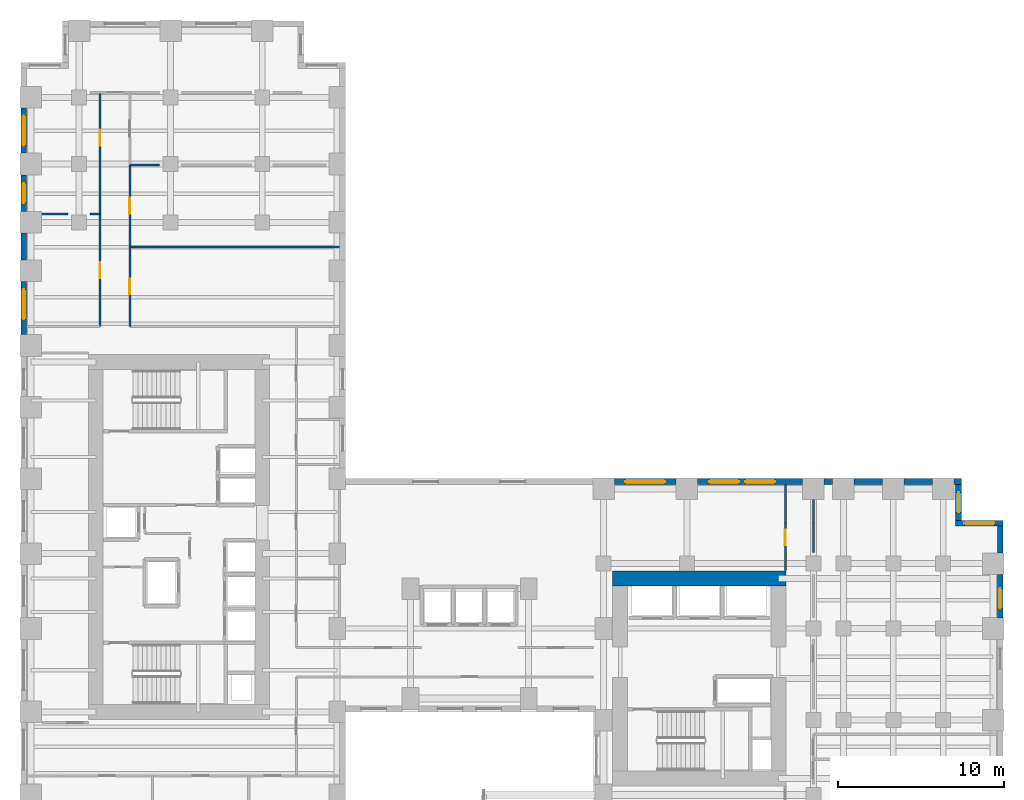
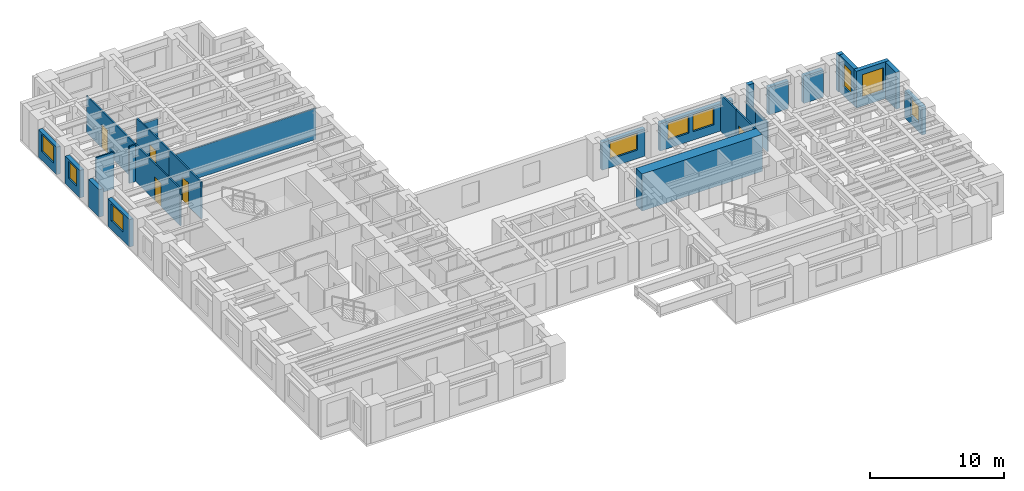
# One storey, part 11 of 14: 27 walls, 9 windows, 5 doors, 14 openings.
"""IFC4 building model written with IfcOpenShell, lengths in metres."""

from ifc_helpers import new_model, si_unit, direction, frame, frame_2d, origin, place, context, subcontext, project, spatial, rectangle, extrude, source, transform, mapped, material, layer, layer_set, type_object, element, fill, save


model = new_model("IFC4")

# Units and contexts
model_context = context("Model", 3, precision=1e-05, world=origin(), true_north=direction((0.0, 1.0)))
body_context = subcontext(model_context, "Body", "Model", "MODEL_VIEW")
ifc_project = project(units=[si_unit("LENGTHUNIT", "METRE"), si_unit("AREAUNIT", "SQUARE_METRE"), si_unit("VOLUMEUNIT", "CUBIC_METRE"), si_unit("PLANEANGLEUNIT", "RADIAN"), si_unit("MASSUNIT", "GRAM", prefix="KILO")], contexts=[model_context])

# Site, building, storey
site_placement = place(None, origin())
site = spatial("IfcSite", under=ifc_project, at=site_placement, CompositionType="ELEMENT")
building_placement = place(site_placement, origin())
building = spatial("IfcBuilding", under=site, at=building_placement, Name="Kharzan Plaza Tower", CompositionType="ELEMENT")
storey_placement = place(building_placement, frame((0.0, 0.0, 44.10009765625)))
storey = spatial("IfcBuildingStorey", under=building, at=storey_placement, Name="L11", CompositionType="ELEMENT", Elevation=44.10009765625)

# Wall, opening, window
ifc_material_1 = material(Name="Concrete C40/50", Category="concrete")
ifc_layer_1 = layer(ifc_material_1, 0.35009765625)
ifc_layer_set_1 = layer_set([ifc_layer_1], Name="Concrete C40/50")
wall_type_1 = type_object("IfcWallType", Name="WL-EXT-MAS-Z1", PredefinedType="SOLIDWALL", material=ifc_layer_set_1)
wall_1_placement = place(storey_placement, frame((0.175048828125, 44.751953125, 0.0), z_axis=(0.0, 0.0, 1.0), x_axis=(0.0, -1.0, 0.0)))
wall_1 = element("IfcWall", 1, at=wall_1_placement, inside=storey, type_object=wall_type_1, Name="L11 Masonry-Frame Exterior Wall 10", PredefinedType="SOLIDWALL", context=body_context, shape_type="SweptSolid", body=[
    extrude(rectangle(XDim=2.703857421875, YDim=0.35009765625, at=frame_2d((1.35205078125, 0.0))), origin(), (0.0, 0.0, 1.0), 2.510009765625),
])
opening_1_placement = place(wall_1_placement, frame((0.451904296875, 0.0, 0.780029296875)))
opening_1 = element("IfcOpeningElement", 2, at=opening_1_placement, cuts=wall_1, Name="Opening W1", PredefinedType="OPENING", context=body_context, shape_type="SweptSolid", body=[
    extrude(rectangle(XDim=1.800048828125, YDim=1.550048828125, at=frame_2d((0.89990234375, 0.77490234375))), frame((0.0, 0.18505859375, 0.0), z_axis=(0.0, -1.0, 0.0), x_axis=(1.0, 0.0, 0.0)), (0.0, 0.0, 1.0), 0.3701171875),
])
ifc_material_2 = material(Name="Low-E Double Glazing", Category="glass")
window_type_1 = type_object("IfcWindowType", Name="WN-REC-1800x2100", PartitioningType="SINGLE_PANEL", PredefinedType="WINDOW", material=ifc_material_2)
shared_shape_1 = source(origin(), body_context, "Body", "SweptSolid", [
    extrude(rectangle(XDim=1.800048828125, YDim=1.550048828125, at=frame_2d((0.89990234375, 0.77490234375))), frame((0.0, 0.030029296875, 0.0), z_axis=(0.0, -1.0, 0.0), x_axis=(1.0, 0.0, 0.0)), (0.0, 0.0, 1.0), 0.06005859375),
])
window_1_placement = place(opening_1_placement, origin())
window_1 = element("IfcWindow", 3, at=window_1_placement, inside=storey, type_object=window_type_1, Name="L11 Recessed Solar-Control Window 10-1", OverallHeight=1.550048828125, OverallWidth=1.800048828125, PartitioningType="SINGLE_PANEL", PredefinedType="WINDOW", context=body_context, shape_type="MappedRepresentation", body=[
    mapped(shared_shape_1, transform((0.0, 0.0, 0.0), x_axis=(1.0, 0.0, 0.0), y_axis=(0.0, 1.0, 0.0), z_axis=(0.0, 0.0, 1.0))),
])
fill(opening_1, window_1)

wall_2_placement = place(storey_placement, frame((0.175048828125, 40.751953125, 0.0), z_axis=(0.0, 0.0, 1.0), x_axis=(0.0, -1.0, 0.0)))
wall_2 = element("IfcWall", 4, at=wall_2_placement, inside=storey, type_object=wall_type_1, Name="L11 Masonry-Frame Exterior Wall 11", PredefinedType="SOLIDWALL", context=body_context, shape_type="SweptSolid", body=[
    extrude(rectangle(XDim=2.203857421875, YDim=0.35009765625, at=frame_2d((1.10205078125, 0.0))), origin(), (0.0, 0.0, 1.0), 2.510009765625),
])
opening_2_placement = place(wall_2_placement, frame((0.501953125, 0.0, 0.780029296875)))
opening_2 = element("IfcOpeningElement", 5, at=opening_2_placement, cuts=wall_2, Name="Opening W3", PredefinedType="OPENING", context=body_context, shape_type="SweptSolid", body=[
    extrude(rectangle(XDim=1.199951171875, YDim=1.550048828125, at=frame_2d((0.60009765625, 0.77490234375))), frame((0.0, 0.18505859375, 0.0), z_axis=(0.0, -1.0, 0.0), x_axis=(1.0, 0.0, 0.0)), (0.0, 0.0, 1.0), 0.3701171875),
])
window_type_2 = type_object("IfcWindowType", Name="WN-REC-1200x2100", PartitioningType="SINGLE_PANEL", PredefinedType="WINDOW", material=ifc_material_2)
shared_shape_2 = source(origin(), body_context, "Body", "SweptSolid", [
    extrude(rectangle(XDim=1.199951171875, YDim=1.550048828125, at=frame_2d((0.60009765625, 0.77490234375))), frame((0.0, 0.030029296875, 0.0), z_axis=(0.0, -1.0, 0.0), x_axis=(1.0, 0.0, 0.0)), (0.0, 0.0, 1.0), 0.06005859375),
])
window_2_placement = place(opening_2_placement, origin())
window_2 = element("IfcWindow", 6, at=window_2_placement, inside=storey, type_object=window_type_2, Name="L11 Recessed Solar-Control Window 11-1", OverallHeight=1.550048828125, OverallWidth=1.199951171875, PartitioningType="SINGLE_PANEL", PredefinedType="WINDOW", context=body_context, shape_type="MappedRepresentation", body=[
    mapped(shared_shape_2, transform((0.0, 0.0, 0.0), x_axis=(1.0, 0.0, 0.0), y_axis=(0.0, 1.0, 0.0), z_axis=(0.0, 0.0, 1.0))),
])
fill(opening_2, window_2)

wall_3_placement = place(storey_placement, frame((0.175048828125, 34.35205078125, 0.0), z_axis=(0.0, 0.0, 1.0), x_axis=(0.0, -1.0, 0.0)))
wall_3 = element("IfcWall", 7, at=wall_3_placement, inside=storey, type_object=wall_type_1, Name="L11 Masonry-Frame Exterior Wall 13", PredefinedType="SOLIDWALL", context=body_context, shape_type="SweptSolid", body=[
    extrude(rectangle(XDim=3.2041015625, YDim=0.35009765625, at=frame_2d((1.60205078125, 0.0))), origin(), (0.0, 0.0, 1.0), 2.510009765625),
])
opening_3_placement = place(wall_3_placement, frame((0.486083984375, 0.0, 0.780029296875)))
opening_3 = element("IfcOpeningElement", 8, at=opening_3_placement, cuts=wall_3, Name="Opening W1", PredefinedType="OPENING", context=body_context, shape_type="SweptSolid", body=[
    extrude(rectangle(XDim=1.800048828125, YDim=1.550048828125, at=frame_2d((0.89990234375, 0.77490234375))), frame((0.0, 0.18505859375, 0.0), z_axis=(0.0, -1.0, 0.0), x_axis=(1.0, 0.0, 0.0)), (0.0, 0.0, 1.0), 0.3701171875),
])
window_3_placement = place(opening_3_placement, origin())
window_3 = element("IfcWindow", 9, at=window_3_placement, inside=storey, type_object=window_type_1, Name="L11 Recessed Solar-Control Window 13-1", OverallHeight=1.550048828125, OverallWidth=1.800048828125, PartitioningType="SINGLE_PANEL", PredefinedType="WINDOW", context=body_context, shape_type="MappedRepresentation", body=[
    mapped(shared_shape_1, transform((0.0, 0.0, 0.0), x_axis=(1.0, 0.0, 0.0), y_axis=(0.0, 1.0, 0.0), z_axis=(0.0, 0.0, 1.0))),
])
fill(opening_3, window_3)

wall_4_placement = place(storey_placement, frame((58.824951171875, 14.14794921875, 0.0), z_axis=(0.0, 0.0, 1.0), x_axis=(0.0, 1.0, 0.0)))
wall_4 = element("IfcWall", 10, at=wall_4_placement, inside=storey, type_object=wall_type_1, Name="L11 Masonry-Frame Exterior Wall 44", PredefinedType="SOLIDWALL", context=body_context, shape_type="SweptSolid", body=[
    extrude(rectangle(XDim=2.60400390625, YDim=0.35009765625, at=frame_2d((1.302001953125, 0.0))), origin(), (0.0, 0.0, 1.0), 2.510009765625),
])
opening_4_placement = place(wall_4_placement, frame((0.5673828125, 0.0, 0.780029296875)))
opening_4 = element("IfcOpeningElement", 11, at=opening_4_placement, cuts=wall_4, Name="Opening W3", PredefinedType="OPENING", context=body_context, shape_type="SweptSolid", body=[
    extrude(rectangle(XDim=1.199951171875, YDim=1.550048828125, at=frame_2d((0.60009765625, 0.77490234375))), frame((0.0, 0.18505859375, 0.0), z_axis=(0.0, -1.0, 0.0), x_axis=(1.0, 0.0, 0.0)), (0.0, 0.0, 1.0), 0.3701171875),
])
window_4_placement = place(opening_4_placement, origin())
window_4 = element("IfcWindow", 12, at=window_4_placement, inside=storey, type_object=window_type_2, Name="L11 Recessed Solar-Control Window 44-1", OverallHeight=1.550048828125, OverallWidth=1.199951171875, PartitioningType="SINGLE_PANEL", PredefinedType="WINDOW", context=body_context, shape_type="MappedRepresentation", body=[
    mapped(shared_shape_2, transform((0.0, 0.0, 0.0), x_axis=(1.0, 0.0, 0.0), y_axis=(0.0, 1.0, 0.0), z_axis=(0.0, 0.0, 1.0))),
])
fill(opening_4, window_4)

wall_5_placement = place(storey_placement, frame((59.0, 19.824951171875, 0.0), z_axis=(0.0, 0.0, 1.0), x_axis=(-1.0, 0.0, 0.0)))
wall_5 = element("IfcWall", 13, at=wall_5_placement, inside=storey, type_object=wall_type_1, Name="L11 Masonry-Frame Exterior Wall 46", PredefinedType="SOLIDWALL", context=body_context, shape_type="SweptSolid", body=[
    extrude(rectangle(XDim=2.85009765625, YDim=0.35009765625, at=frame_2d((1.425048828125, 0.0))), origin(), (0.0, 0.0, 1.0), 3.364990234375),
])
opening_5_placement = place(wall_5_placement, frame((0.52490234375, 0.0, 0.780029296875)))
opening_5 = element("IfcOpeningElement", 14, at=opening_5_placement, cuts=wall_5, Name="Opening W1", PredefinedType="OPENING", context=body_context, shape_type="SweptSolid", body=[
    extrude(rectangle(XDim=1.800048828125, YDim=2.10009765625, at=frame_2d((0.89990234375, 1.050048828125))), frame((0.0, 0.18505859375, 0.0), z_axis=(0.0, -1.0, 0.0), x_axis=(1.0, 0.0, 0.0)), (0.0, 0.0, 1.0), 0.3701171875),
])
shared_shape_3 = source(origin(), body_context, "Body", "SweptSolid", [
    extrude(rectangle(XDim=1.800048828125, YDim=2.10009765625, at=frame_2d((0.89990234375, 1.050048828125))), frame((0.0, 0.030029296875, 0.0), z_axis=(0.0, -1.0, 0.0), x_axis=(1.0, 0.0, 0.0)), (0.0, 0.0, 1.0), 0.06005859375),
])
window_5_placement = place(opening_5_placement, origin())
window_5 = element("IfcWindow", 15, at=window_5_placement, inside=storey, type_object=window_type_1, Name="L11 Recessed Solar-Control Window 46-1", OverallHeight=2.10009765625, OverallWidth=1.800048828125, PartitioningType="SINGLE_PANEL", PredefinedType="WINDOW", context=body_context, shape_type="MappedRepresentation", body=[
    mapped(shared_shape_3, transform((0.0, 0.0, 0.0), x_axis=(1.0, 0.0, 0.0), y_axis=(0.0, 1.0, 0.0), z_axis=(0.0, 0.0, 1.0))),
])
fill(opening_5, window_5)

wall_6_placement = place(storey_placement, frame((56.324951171875, 19.998046875, 0.0), z_axis=(0.0, 0.0, 1.0), x_axis=(0.0, 1.0, 0.0)))
wall_6 = element("IfcWall", 16, at=wall_6_placement, inside=storey, type_object=wall_type_1, Name="L11 Masonry-Frame Exterior Wall 47", PredefinedType="SOLIDWALL", context=body_context, shape_type="SweptSolid", body=[
    extrude(rectangle(XDim=2.154052734375, YDim=0.35009765625, at=frame_2d((1.0771484375, 0.0))), origin(), (0.0, 0.0, 1.0), 3.364990234375),
])
opening_6_placement = place(wall_6_placement, frame((0.47705078125, 0.0, 0.780029296875)))
opening_6 = element("IfcOpeningElement", 17, at=opening_6_placement, cuts=wall_6, Name="Opening W3", PredefinedType="OPENING", context=body_context, shape_type="SweptSolid", body=[
    extrude(rectangle(XDim=1.199951171875, YDim=2.10009765625, at=frame_2d((0.60009765625, 1.050048828125))), frame((0.0, 0.18505859375, 0.0), z_axis=(0.0, -1.0, 0.0), x_axis=(1.0, 0.0, 0.0)), (0.0, 0.0, 1.0), 0.3701171875),
])
shared_shape_4 = source(origin(), body_context, "Body", "SweptSolid", [
    extrude(rectangle(XDim=1.199951171875, YDim=2.10009765625, at=frame_2d((0.60009765625, 1.050048828125))), frame((0.0, 0.030029296875, 0.0), z_axis=(0.0, -1.0, 0.0), x_axis=(1.0, 0.0, 0.0)), (0.0, 0.0, 1.0), 0.06005859375),
])
window_6_placement = place(opening_6_placement, origin())
window_6 = element("IfcWindow", 18, at=window_6_placement, inside=storey, type_object=window_type_2, Name="L11 Recessed Solar-Control Window 47-1", OverallHeight=2.10009765625, OverallWidth=1.199951171875, PartitioningType="SINGLE_PANEL", PredefinedType="WINDOW", context=body_context, shape_type="MappedRepresentation", body=[
    mapped(shared_shape_4, transform((0.0, 0.0, 0.0), x_axis=(1.0, 0.0, 0.0), y_axis=(0.0, 1.0, 0.0), z_axis=(0.0, 0.0, 1.0))),
])
fill(opening_6, window_6)

# Wall, openings, windows
wall_7_placement = place(storey_placement, frame((46.951904296875, 22.324951171875, 0.0), z_axis=(0.0, 0.0, 1.0), x_axis=(-1.0, 0.0, 0.0)))
wall_7 = element("IfcWall", 19, at=wall_7_placement, inside=storey, type_object=wall_type_1, Name="L11 Masonry-Frame Exterior Wall 52", PredefinedType="SOLIDWALL", context=body_context, shape_type="SweptSolid", body=[
    extrude(rectangle(XDim=6.303955078125, YDim=0.35009765625, at=frame_2d((3.15185546875, 0.0))), origin(), (0.0, 0.0, 1.0), 2.510009765625),
])
opening_7_placement = place(wall_7_placement, frame((1.6494140625, 0.0, 0.780029296875)))
opening_7 = element("IfcOpeningElement", 20, at=opening_7_placement, cuts=wall_7, Name="Opening W1", PredefinedType="OPENING", context=body_context, shape_type="SweptSolid", body=[
    extrude(rectangle(XDim=1.800048828125, YDim=1.550048828125, at=frame_2d((0.89990234375, 0.77490234375))), frame((0.0, 0.18505859375, 0.0), z_axis=(0.0, -1.0, 0.0), x_axis=(1.0, 0.0, 0.0)), (0.0, 0.0, 1.0), 0.3701171875),
])
opening_8_placement = place(wall_7_placement, frame((3.816650390625, 0.0, 0.780029296875)))
opening_8 = element("IfcOpeningElement", 21, at=opening_8_placement, cuts=wall_7, Name="Opening W1", PredefinedType="OPENING", context=body_context, shape_type="SweptSolid", body=[
    extrude(rectangle(XDim=1.800048828125, YDim=1.550048828125, at=frame_2d((0.89990234375, 0.77490234375))), frame((0.0, 0.18505859375, 0.0), z_axis=(0.0, -1.0, 0.0), x_axis=(1.0, 0.0, 0.0)), (0.0, 0.0, 1.0), 0.3701171875),
])
window_7_placement = place(opening_7_placement, origin())
window_7 = element("IfcWindow", 22, at=window_7_placement, inside=storey, type_object=window_type_1, Name="L11 Recessed Solar-Control Window 52-1", OverallHeight=1.550048828125, OverallWidth=1.800048828125, PartitioningType="SINGLE_PANEL", PredefinedType="WINDOW", context=body_context, shape_type="MappedRepresentation", body=[
    mapped(shared_shape_1, transform((0.0, 0.0, 0.0), x_axis=(1.0, 0.0, 0.0), y_axis=(0.0, 1.0, 0.0), z_axis=(0.0, 0.0, 1.0))),
])
fill(opening_7, window_7)
window_8_placement = place(opening_8_placement, origin())
window_8 = element("IfcWindow", 23, at=window_8_placement, inside=storey, type_object=window_type_1, Name="L11 Recessed Solar-Control Window 52-2", OverallHeight=1.550048828125, OverallWidth=1.800048828125, PartitioningType="SINGLE_PANEL", PredefinedType="WINDOW", context=body_context, shape_type="MappedRepresentation", body=[
    mapped(shared_shape_1, transform((0.0, 0.0, 0.0), x_axis=(1.0, 0.0, 0.0), y_axis=(0.0, 1.0, 0.0), z_axis=(0.0, 0.0, 1.0))),
])
fill(opening_8, window_8)

# Wall, opening, window
wall_8_placement = place(storey_placement, frame((39.35205078125, 22.324951171875, 0.0), z_axis=(0.0, 0.0, 1.0), x_axis=(-1.0, 0.0, 0.0)))
wall_8 = element("IfcWall", 24, at=wall_8_placement, inside=storey, type_object=wall_type_1, Name="L11 Masonry-Frame Exterior Wall 53", PredefinedType="SOLIDWALL", context=body_context, shape_type="SweptSolid", body=[
    extrude(rectangle(XDim=3.7041015625, YDim=0.35009765625, at=frame_2d((1.85205078125, 0.0))), origin(), (0.0, 0.0, 1.0), 2.510009765625),
])
opening_9_placement = place(wall_8_placement, frame((0.652099609375, 0.0, 0.780029296875)))
opening_9 = element("IfcOpeningElement", 25, at=opening_9_placement, cuts=wall_8, Name="Opening W2", PredefinedType="OPENING", context=body_context, shape_type="SweptSolid", body=[
    extrude(rectangle(XDim=2.39990234375, YDim=1.550048828125, at=frame_2d((1.199951171875, 0.77490234375))), frame((0.0, 0.18505859375, 0.0), z_axis=(0.0, -1.0, 0.0), x_axis=(1.0, 0.0, 0.0)), (0.0, 0.0, 1.0), 0.3701171875),
])
window_type_3 = type_object("IfcWindowType", Name="WN-REC-2400x2100", PartitioningType="SINGLE_PANEL", PredefinedType="WINDOW", material=ifc_material_2)
shared_shape_5 = source(origin(), body_context, "Body", "SweptSolid", [
    extrude(rectangle(XDim=2.39990234375, YDim=1.550048828125, at=frame_2d((1.199951171875, 0.77490234375))), frame((0.0, 0.030029296875, 0.0), z_axis=(0.0, -1.0, 0.0), x_axis=(1.0, 0.0, 0.0)), (0.0, 0.0, 1.0), 0.06005859375),
])
window_9_placement = place(opening_9_placement, origin())
window_9 = element("IfcWindow", 26, at=window_9_placement, inside=storey, type_object=window_type_3, Name="L11 Wide Recessed Solar-Control Window 53-1", OverallHeight=1.550048828125, OverallWidth=2.39990234375, PartitioningType="SINGLE_PANEL", PredefinedType="WINDOW", context=body_context, shape_type="MappedRepresentation", body=[
    mapped(shared_shape_5, transform((0.0, 0.0, 0.0), x_axis=(1.0, 0.0, 0.0), y_axis=(0.0, 1.0, 0.0), z_axis=(0.0, 0.0, 1.0))),
])
fill(opening_9, window_9)

# Wall, opening, door
ifc_material_3 = material(Name="Fire-Rated Gypsum Board Partition", Category="gypsum")
ifc_layer_2 = layer(ifc_material_3, 0.125)
ifc_layer_set_2 = layer_set([ifc_layer_2], Name="Fire-Rated Gypsum Board Partition")
wall_type_2 = type_object("IfcWallType", Name="WL-INT-PART-125", PredefinedType="PARTITIONING", material=ifc_layer_set_2)
wall_9_placement = place(storey_placement, frame((45.919921875, 16.97998046875, 0.0), z_axis=(0.0, 0.0, 1.0), x_axis=(0.0, 1.0, 0.0)))
wall_9 = element("IfcWall", 27, at=wall_9_placement, inside=storey, type_object=wall_type_2, Name="L11 Interior Partition SH-RBNE", PredefinedType="PARTITIONING", context=body_context, shape_type="SweptSolid", body=[
    extrude(rectangle(XDim=2.8701171875, YDim=0.125, at=frame_2d((1.43505859375, 0.0))), origin(), (0.0, 0.0, 1.0), 3.364990234375),
])
opening_10_placement = place(wall_9_placement, frame((1.51708984375, 0.0, 0.0)))
opening_10 = element("IfcOpeningElement", 28, at=opening_10_placement, cuts=wall_9, Name="Opening OD1", PredefinedType="OPENING", context=body_context, shape_type="SweptSolid", body=[
    extrude(rectangle(XDim=0.949951171875, YDim=2.14990234375, at=frame_2d((0.47509765625, 1.074951171875))), frame((0.0, 0.072509765625, 0.0), z_axis=(0.0, -1.0, 0.0), x_axis=(1.0, 0.0, 0.0)), (0.0, 0.0, 1.0), 0.14501953125),
])
ifc_material_4 = material(Name="Acoustic Solid-Core Stained Oak", Category="timber")
door_type = type_object("IfcDoorType", Name="DR-OFF-SINGLE", OperationType="NOTDEFINED", PredefinedType="DOOR", material=ifc_material_4)
shared_shape_6 = source(origin(), body_context, "Body", "SweptSolid", [
    extrude(rectangle(XDim=0.949951171875, YDim=2.14990234375, at=frame_2d((0.47509765625, 1.074951171875))), frame((0.0, 0.02490234375, 0.0), z_axis=(0.0, -1.0, 0.0), x_axis=(1.0, 0.0, 0.0)), (0.0, 0.0, 1.0), 0.050048828125),
])
door_1_placement = place(opening_10_placement, origin())
door_1 = element("IfcDoor", 29, at=door_1_placement, inside=storey, type_object=door_type, Name="L11 Wing B North Studio Door", OperationType="SINGLE_SWING_RIGHT", OverallHeight=2.14990234375, OverallWidth=0.949951171875, PredefinedType="DOOR", context=body_context, shape_type="MappedRepresentation", body=[
    mapped(shared_shape_6, transform((0.0, 0.0, 0.0), x_axis=(1.0, 0.0, 0.0), y_axis=(0.0, 1.0, 0.0), z_axis=(0.0, 0.0, 1.0))),
])
fill(opening_10, door_1)

wall_10_placement = place(storey_placement, frame((6.550048828125, 31.64990234375, 0.0), z_axis=(0.0, 0.0, 1.0), x_axis=(0.0, 1.0, 0.0)))
wall_10 = element("IfcWall", 30, at=wall_10_placement, inside=storey, type_object=wall_type_2, Name="L11 Interior Partition SH-SPE-1", PredefinedType="PARTITIONING", context=body_context, shape_type="SweptSolid", body=[
    extrude(rectangle(XDim=4.777099609375, YDim=0.125, at=frame_2d((2.388671875, 0.0))), origin(), (0.0, 0.0, 1.0), 3.364990234375),
])
opening_11_placement = place(wall_10_placement, frame((1.91357421875, 0.0, 0.0)))
opening_11 = element("IfcOpeningElement", 31, at=opening_11_placement, cuts=wall_10, Name="Opening OD1", PredefinedType="OPENING", context=body_context, shape_type="SweptSolid", body=[
    extrude(rectangle(XDim=0.949951171875, YDim=2.14990234375, at=frame_2d((0.47509765625, 1.074951171875))), frame((0.0, 0.072509765625, 0.0), z_axis=(0.0, -1.0, 0.0), x_axis=(1.0, 0.0, 0.0)), (0.0, 0.0, 1.0), 0.14501953125),
])
door_2_placement = place(opening_11_placement, origin())
door_2 = element("IfcDoor", 32, at=door_2_placement, inside=storey, type_object=door_type, Name="L11 Design Collaboration Office Door", OperationType="SINGLE_SWING_LEFT", OverallHeight=2.14990234375, OverallWidth=0.949951171875, PredefinedType="DOOR", context=body_context, shape_type="MappedRepresentation", body=[
    mapped(shared_shape_6, transform((0.0, 0.0, 0.0), x_axis=(1.0, 0.0, 0.0), y_axis=(0.0, 1.0, 0.0), z_axis=(0.0, 0.0, 1.0))),
])
fill(opening_11, door_2)

wall_11_placement = place(storey_placement, frame((6.550048828125, 36.427001953125, 0.0), z_axis=(0.0, 0.0, 1.0), x_axis=(0.0, 1.0, 0.0)))
wall_11 = element("IfcWall", 33, at=wall_11_placement, inside=storey, type_object=wall_type_2, Name="L11 Interior Partition SH-SPE-2", PredefinedType="PARTITIONING", context=body_context, shape_type="SweptSolid", body=[
    extrude(rectangle(XDim=4.9169921875, YDim=0.125, at=frame_2d((2.45849609375, 0.0))), origin(), (0.0, 0.0, 1.0), 3.364990234375),
])
opening_12_placement = place(wall_11_placement, frame((1.9833984375, 0.0, 0.0)))
opening_12 = element("IfcOpeningElement", 34, at=opening_12_placement, cuts=wall_11, Name="Opening OD1", PredefinedType="OPENING", context=body_context, shape_type="SweptSolid", body=[
    extrude(rectangle(XDim=0.949951171875, YDim=2.14990234375, at=frame_2d((0.47509765625, 1.074951171875))), frame((0.0, 0.072509765625, 0.0), z_axis=(0.0, -1.0, 0.0), x_axis=(1.0, 0.0, 0.0)), (0.0, 0.0, 1.0), 0.14501953125),
])
door_3_placement = place(opening_12_placement, origin())
door_3 = element("IfcDoor", 35, at=door_3_placement, inside=storey, type_object=door_type, Name="L11 Systems Planning Office Door", OperationType="SINGLE_SWING_RIGHT", OverallHeight=2.14990234375, OverallWidth=0.949951171875, PredefinedType="DOOR", context=body_context, shape_type="MappedRepresentation", body=[
    mapped(shared_shape_6, transform((0.0, 0.0, 0.0), x_axis=(1.0, 0.0, 0.0), y_axis=(0.0, 1.0, 0.0), z_axis=(0.0, 0.0, 1.0))),
])
fill(opening_12, door_3)

wall_12_placement = place(storey_placement, frame((4.75, 31.64990234375, 0.0), z_axis=(0.0, 0.0, 1.0), x_axis=(0.0, 1.0, 0.0)))
wall_12 = element("IfcWall", 36, at=wall_12_placement, inside=storey, type_object=wall_type_2, Name="L11 Interior Partition SH-SPW-1", PredefinedType="PARTITIONING", context=body_context, shape_type="SweptSolid", body=[
    extrude(rectangle(XDim=6.744140625, YDim=0.125, at=frame_2d((3.3720703125, 0.0))), origin(), (0.0, 0.0, 1.0), 3.364990234375),
])
opening_13_placement = place(wall_12_placement, frame((2.89697265625, 0.0, 0.0)))
opening_13 = element("IfcOpeningElement", 37, at=opening_13_placement, cuts=wall_12, Name="Opening OD1", PredefinedType="OPENING", context=body_context, shape_type="SweptSolid", body=[
    extrude(rectangle(XDim=0.949951171875, YDim=2.14990234375, at=frame_2d((0.47509765625, 1.074951171875))), frame((0.0, 0.072509765625, 0.0), z_axis=(0.0, -1.0, 0.0), x_axis=(1.0, 0.0, 0.0)), (0.0, 0.0, 1.0), 0.14501953125),
])
door_4_placement = place(opening_13_placement, origin())
door_4 = element("IfcDoor", 38, at=door_4_placement, inside=storey, type_object=door_type, Name="L11 Client Briefing Room Door", OperationType="SINGLE_SWING_LEFT", OverallHeight=2.14990234375, OverallWidth=0.949951171875, PredefinedType="DOOR", context=body_context, shape_type="MappedRepresentation", body=[
    mapped(shared_shape_6, transform((0.0, 0.0, 0.0), x_axis=(1.0, 0.0, 0.0), y_axis=(0.0, 1.0, 0.0), z_axis=(0.0, 0.0, 1.0))),
])
fill(opening_13, door_4)

wall_13_placement = place(storey_placement, frame((4.75, 38.39404296875, 0.0), z_axis=(0.0, 0.0, 1.0), x_axis=(0.0, 1.0, 0.0)))
wall_13 = element("IfcWall", 39, at=wall_13_placement, inside=storey, type_object=wall_type_2, Name="L11 Interior Partition SH-SPW-2", PredefinedType="PARTITIONING", context=body_context, shape_type="SweptSolid", body=[
    extrude(rectangle(XDim=7.305908203125, YDim=0.125, at=frame_2d((3.65283203125, 0.0))), origin(), (0.0, 0.0, 1.0), 3.364990234375),
])
opening_14_placement = place(wall_13_placement, frame((4.1083984375, 0.0, 0.0)))
opening_14 = element("IfcOpeningElement", 40, at=opening_14_placement, cuts=wall_13, Name="Opening OD1", PredefinedType="OPENING", context=body_context, shape_type="SweptSolid", body=[
    extrude(rectangle(XDim=0.949951171875, YDim=2.14990234375, at=frame_2d((0.47509765625, 1.074951171875))), frame((0.0, 0.072509765625, 0.0), z_axis=(0.0, -1.0, 0.0), x_axis=(1.0, 0.0, 0.0)), (0.0, 0.0, 1.0), 0.14501953125),
])
door_5_placement = place(opening_14_placement, origin())
door_5 = element("IfcDoor", 41, at=door_5_placement, inside=storey, type_object=door_type, Name="L11 Executive Boardroom Door", OperationType="SINGLE_SWING_RIGHT", OverallHeight=2.14990234375, OverallWidth=0.949951171875, PredefinedType="DOOR", context=body_context, shape_type="MappedRepresentation", body=[
    mapped(shared_shape_6, transform((0.0, 0.0, 0.0), x_axis=(1.0, 0.0, 0.0), y_axis=(0.0, 1.0, 0.0), z_axis=(0.0, 0.0, 1.0))),
])
fill(opening_14, door_5)

# Walls
ifc_material_5 = material(Name="Concrete C60/75", Category="concrete")
ifc_layer_3 = layer(ifc_material_5, 0.89990234375)
ifc_layer_set_3 = layer_set([ifc_layer_3], Name="Concrete C60/75")
wall_type_3 = type_object("IfcWallType", Name="WL-CORE-900", PredefinedType="SHEAR", material=ifc_layer_set_3)
shared_shape_7 = source(origin(), body_context, "Body", "SweptSolid", [
    extrude(rectangle(XDim=10.39990234375, YDim=0.89990234375, at=frame_2d((5.199951171875, 0.0))), origin(), (0.0, 0.0, 1.0), 3.3798828125),
])
wall_14_placement = place(storey_placement, frame((35.550048828125, 16.5, 0.0), z_axis=(0.0, 0.0, 1.0), x_axis=(1.0, 0.0, 0.0)))
element("IfcWall", 42, at=wall_14_placement, inside=storey, type_object=wall_type_3, Name="L11 CORE-B north RC shear wall", PredefinedType="SHEAR", context=body_context, shape_type="MappedRepresentation", body=[
    mapped(shared_shape_7, transform((0.0, 0.0, 0.0), x_axis=(1.0, 0.0, 0.0), y_axis=(0.0, 1.0, 0.0), z_axis=(0.0, 0.0, 1.0))),
])
shared_shape_8 = source(origin(), body_context, "Body", "SweptSolid", [
    extrude(rectangle(XDim=1.60400390625, YDim=0.35009765625, at=frame_2d((0.802001953125, 0.0))), origin(), (0.0, 0.0, 1.0), 2.510009765625),
])
wall_15_placement = place(storey_placement, frame((0.175048828125, 37.251953125, 0.0), z_axis=(0.0, 0.0, 1.0), x_axis=(0.0, -1.0, 0.0)))
element("IfcWall", 43, at=wall_15_placement, inside=storey, type_object=wall_type_1, Name="L11 Masonry-Frame Exterior Wall 12", PredefinedType="SOLIDWALL", context=body_context, shape_type="MappedRepresentation", body=[
    mapped(shared_shape_8, transform((0.0, 0.0, 0.0), x_axis=(1.0, 0.0, 0.0), y_axis=(0.0, 1.0, 0.0), z_axis=(0.0, 0.0, 1.0))),
])
shared_shape_9 = source(origin(), body_context, "Body", "SweptSolid", [
    extrude(rectangle(XDim=0.50390625, YDim=0.35009765625, at=frame_2d((0.251953125, 0.0))), origin(), (0.0, 0.0, 1.0), 3.364990234375),
])
wall_16_placement = place(storey_placement, frame((48.751953125, 22.324951171875, 0.0), z_axis=(0.0, 0.0, 1.0), x_axis=(-1.0, 0.0, 0.0)))
element("IfcWall", 44, at=wall_16_placement, inside=storey, type_object=wall_type_1, Name="L11 Masonry-Frame Exterior Wall 51", PredefinedType="SOLIDWALL", context=body_context, shape_type="MappedRepresentation", body=[
    mapped(shared_shape_9, transform((0.0, 0.0, 0.0), x_axis=(1.0, 0.0, 0.0), y_axis=(0.0, 1.0, 0.0), z_axis=(0.0, 0.0, 1.0))),
])
shared_shape_10 = source(origin(), body_context, "Body", "SweptSolid", [
    extrude(rectangle(XDim=1.703857421875, YDim=0.35009765625, at=frame_2d((0.85205078125, 0.0))), origin(), (0.0, 0.0, 1.0), 2.510009765625),
])
for number, where, z_axis, x_axis, name in (
    (45, (54.751953125, 22.324951171875, 0.0), (0.0, 0.0, 1.0), (-1.0, 0.0, 0.0), "L11 Masonry-Frame Exterior Wall 49"),
    (46, (51.751953125, 22.324951171875, 0.0), (0.0, 0.0, 1.0), (-1.0, 0.0, 0.0), "L11 Masonry-Frame Exterior Wall 50"),
):
    element("IfcWall", number, at=place(storey_placement, frame(where, z_axis=z_axis, x_axis=x_axis)), inside=storey, type_object=wall_type_1, Name=name, PredefinedType="SOLIDWALL", context=body_context, shape_type="MappedRepresentation", body=[
        mapped(shared_shape_10, transform((0.0, 0.0, 0.0), x_axis=(1.0, 0.0, 0.0), y_axis=(0.0, 1.0, 0.0), z_axis=(0.0, 0.0, 1.0))),
    ])
shared_shape_11 = source(origin(), body_context, "Body", "SweptSolid", [
    extrude(rectangle(XDim=0.451904296875, YDim=0.35009765625, at=frame_2d((0.22607421875, 0.0))), origin(), (0.0, 0.0, 1.0), 3.364990234375),
])
wall_17_placement = place(storey_placement, frame((56.5, 22.324951171875, 0.0), z_axis=(0.0, 0.0, 1.0), x_axis=(-1.0, 0.0, 0.0)))
element("IfcWall", 47, at=wall_17_placement, inside=storey, type_object=wall_type_1, Name="L11 Masonry-Frame Exterior Wall 48", PredefinedType="SOLIDWALL", context=body_context, shape_type="MappedRepresentation", body=[
    mapped(shared_shape_11, transform((0.0, 0.0, 0.0), x_axis=(1.0, 0.0, 0.0), y_axis=(0.0, 1.0, 0.0), z_axis=(0.0, 0.0, 1.0))),
])
shared_shape_12 = source(origin(), body_context, "Body", "SweptSolid", [
    extrude(rectangle(XDim=1.60400390625, YDim=0.35009765625, at=frame_2d((0.802001953125, 0.0))), origin(), (0.0, 0.0, 1.0), 3.364990234375),
])
wall_18_placement = place(storey_placement, frame((58.824951171875, 18.048095703125, 0.0), z_axis=(0.0, 0.0, 1.0), x_axis=(0.0, 1.0, 0.0)))
element("IfcWall", 48, at=wall_18_placement, inside=storey, type_object=wall_type_1, Name="L11 Masonry-Frame Exterior Wall 45", PredefinedType="SOLIDWALL", context=body_context, shape_type="MappedRepresentation", body=[
    mapped(shared_shape_12, transform((0.0, 0.0, 0.0), x_axis=(1.0, 0.0, 0.0), y_axis=(0.0, 1.0, 0.0), z_axis=(0.0, 0.0, 1.0))),
])
shared_shape_13 = source(origin(), body_context, "Body", "SweptSolid", [
    extrude(rectangle(XDim=1.7900390625, YDim=0.125, at=frame_2d((0.89501953125, 0.0))), origin(), (0.0, 0.0, 1.0), 2.669921875),
])
for number, where, z_axis, x_axis, name in (
    (49, (47.60009765625, 18.06005859375, 0.0), (0.0, 0.0, 1.0), (0.0, 1.0, 0.0), "L11 Interior Partition SH-B0W1-S3"),
    (50, (6.550048828125, 41.343994140625, 0.0), (0.0, 0.0, 1.0), (1.0, 0.0, 0.0), "L11 Interior Partition SH-NEH-2-S1"),
):
    element("IfcWall", number, at=place(storey_placement, frame(where, z_axis=z_axis, x_axis=x_axis)), inside=storey, type_object=wall_type_2, Name=name, PredefinedType="PARTITIONING", context=body_context, shape_type="MappedRepresentation", body=[
        mapped(shared_shape_13, transform((0.0, 0.0, 0.0), x_axis=(1.0, 0.0, 0.0), y_axis=(0.0, 1.0, 0.0), z_axis=(0.0, 0.0, 1.0))),
    ])
shared_shape_14 = source(origin(), body_context, "Body", "SweptSolid", [
    extrude(rectangle(XDim=1.389892578125, YDim=0.125, at=frame_2d((0.69482421875, 0.0))), origin(), (0.0, 0.0, 1.0), 2.669921875),
])
wall_19_placement = place(storey_placement, frame((47.60009765625, 19.85009765625, 0.0), z_axis=(0.0, 0.0, 1.0), x_axis=(0.0, 1.0, 0.0)))
element("IfcWall", 51, at=wall_19_placement, inside=storey, type_object=wall_type_2, Name="L11 Interior Partition SH-B0W1N", PredefinedType="PARTITIONING", context=body_context, shape_type="MappedRepresentation", body=[
    mapped(shared_shape_14, transform((0.0, 0.0, 0.0), x_axis=(1.0, 0.0, 0.0), y_axis=(0.0, 1.0, 0.0), z_axis=(0.0, 0.0, 1.0))),
])
shared_shape_15 = source(origin(), body_context, "Body", "SweptSolid", [
    extrude(rectangle(XDim=12.597900390625, YDim=0.125, at=frame_2d((6.298828125, 0.0))), origin(), (0.0, 0.0, 1.0), 2.827880859375),
])
wall_20_placement = place(storey_placement, frame((6.550048828125, 36.427001953125, 0.0), z_axis=(0.0, 0.0, 1.0), x_axis=(1.0, 0.0, 0.0)))
element("IfcWall", 52, at=wall_20_placement, inside=storey, type_object=wall_type_2, Name="L11 Interior Partition SH-NEH-1", PredefinedType="PARTITIONING", context=body_context, shape_type="MappedRepresentation", body=[
    mapped(shared_shape_15, transform((0.0, 0.0, 0.0), x_axis=(1.0, 0.0, 0.0), y_axis=(0.0, 1.0, 0.0), z_axis=(0.0, 0.0, 1.0))),
])
shared_shape_16 = source(origin(), body_context, "Body", "SweptSolid", [
    extrude(rectangle(XDim=1.580078125, YDim=0.125, at=frame_2d((0.7900390625, 0.0))), origin(), (0.0, 0.0, 1.0), 3.364990234375),
])
wall_21_placement = place(storey_placement, frame((1.260009765625, 38.39404296875, 0.0), z_axis=(0.0, 0.0, 1.0), x_axis=(1.0, 0.0, 0.0)))
element("IfcWall", 53, at=wall_21_placement, inside=storey, type_object=wall_type_2, Name="L11 Interior Partition SH-NWH-1-S1", PredefinedType="PARTITIONING", context=body_context, shape_type="MappedRepresentation", body=[
    mapped(shared_shape_16, transform((0.0, 0.0, 0.0), x_axis=(1.0, 0.0, 0.0), y_axis=(0.0, 1.0, 0.0), z_axis=(0.0, 0.0, 1.0))),
])
shared_shape_17 = source(origin(), body_context, "Body", "SweptSolid", [
    extrude(rectangle(XDim=0.590087890625, YDim=0.125, at=frame_2d((0.294921875, 0.0))), origin(), (0.0, 0.0, 1.0), 3.364990234375),
])
wall_22_placement = place(storey_placement, frame((4.159912109375, 38.39404296875, 0.0), z_axis=(0.0, 0.0, 1.0), x_axis=(1.0, 0.0, 0.0)))
element("IfcWall", 54, at=wall_22_placement, inside=storey, type_object=wall_type_2, Name="L11 Interior Partition SH-NWH-1-S2", PredefinedType="PARTITIONING", context=body_context, shape_type="MappedRepresentation", body=[
    mapped(shared_shape_17, transform((0.0, 0.0, 0.0), x_axis=(1.0, 0.0, 0.0), y_axis=(0.0, 1.0, 0.0), z_axis=(0.0, 0.0, 1.0))),
])
shared_shape_18 = source(origin(), body_context, "Body", "SweptSolid", [
    extrude(rectangle(XDim=2.2978515625, YDim=0.125, at=frame_2d((1.14892578125, 0.0))), origin(), (0.0, 0.0, 1.0), 3.364990234375),
])
wall_23_placement = place(storey_placement, frame((45.919921875, 19.85009765625, 0.0), z_axis=(0.0, 0.0, 1.0), x_axis=(0.0, 1.0, 0.0)))
element("IfcWall", 55, at=wall_23_placement, inside=storey, type_object=wall_type_2, Name="L11 Interior Partition SH-RBNE0", PredefinedType="PARTITIONING", context=body_context, shape_type="MappedRepresentation", body=[
    mapped(shared_shape_18, transform((0.0, 0.0, 0.0), x_axis=(1.0, 0.0, 0.0), y_axis=(0.0, 1.0, 0.0), z_axis=(0.0, 0.0, 1.0))),
])

save(model, "model.ifc")
